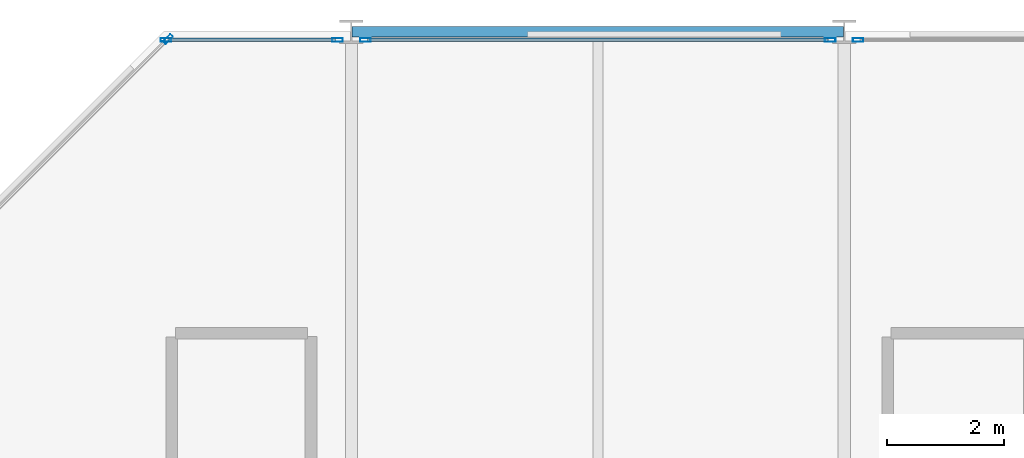
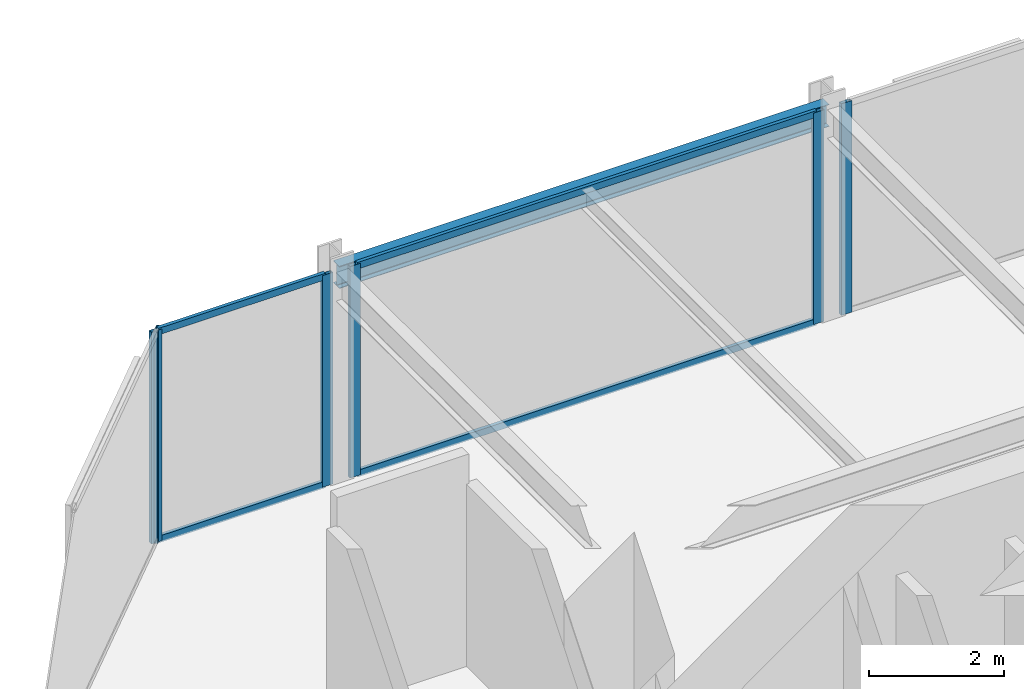
# One storey, part 21 of 29: 10 members, 1 beam, 4 elements without a shape of their own.
"""IFC4 building model written with IfcOpenShell, lengths in metres."""

from ifc_helpers import new_model, si_unit, direction, frame, origin, origin_2d, place, context, subcontext, project, spatial, hollow_rectangle, i_section, extrude, material, layer, layer_set, material_profile, profile_set, type_object, element, aggregate, save


model = new_model("IFC4")

# Units and contexts
model_context = context("Model", 3, precision=1e-05, world=origin(), true_north=direction((0.0, 1.0)))
body_context = subcontext(model_context, "Body", "Model", "MODEL_VIEW")
ifc_project = project(units=[si_unit("LENGTHUNIT", "METRE"), si_unit("AREAUNIT", "SQUARE_METRE"), si_unit("VOLUMEUNIT", "CUBIC_METRE"), si_unit("PLANEANGLEUNIT", "RADIAN"), si_unit("MASSUNIT", "GRAM", prefix="KILO")], contexts=[model_context])

# Site, building, storey
site_placement = place(None, origin())
site = spatial("IfcSite", under=ifc_project, at=site_placement, CompositionType="ELEMENT")
building_placement = place(site_placement, origin())
building = spatial("IfcBuilding", under=site, at=building_placement, Name="Nerrivon Quay Data Exchange", CompositionType="ELEMENT")
storey_placement = place(building_placement, frame((0.0, 0.0, 125.39990234375)))
storey = spatial("IfcBuildingStorey", under=building, at=storey_placement, Name="L29", CompositionType="ELEMENT", Elevation=125.39990234375)

# Beam
ifc_material_1 = material(Name="Steel Grade 350", Category="steel")
ifc_material_profile_1 = material_profile(ifc_material_1, i_section(OverallWidth=0.177978515625, OverallDepth=0.403076171875, WebThickness=0.007568359375, FlangeThickness=0.010986328125, FilletRadius=0.011474609375, at=origin_2d()), Name="410UB53.7")
ifc_profile_set_1 = profile_set([ifc_material_profile_1], Name="Steel Grade 350")
beam_type = type_object("IfcBeamType", Name="BM-SP2-410UB54", PredefinedType="SPANDREL", material=ifc_profile_set_1)
beam_placement = place(storey_placement, frame((8.41259765625, 50.39990234375, 3.62353515625), z_axis=(1.0, 0.0, 0.0), x_axis=(0.0, 1.0, 0.0)))
element("IfcBeam", 1, at=beam_placement, inside=storey, type_object=beam_type, Name="L29 EW Girder Y=50.4 (8.4..16.8)", PredefinedType="SPANDREL", context=body_context, shape_type="SweptSolid", body=[
    extrude(i_section(OverallWidth=0.177978515625, OverallDepth=0.403076171875, WebThickness=0.007568359375, FlangeThickness=0.010986328125, FilletRadius=0.011474609375, at=origin_2d()), origin(), (0.0, 0.0, 1.0), 8.375),
])

# Curtain wall, member
ifc_material_2 = material(Name="Anodised aluminium 6063-T6", Category="aluminium")
ifc_layer = layer(ifc_material_2, 0.2099609375)
ifc_layer_set = layer_set([ifc_layer], Name="Anodised aluminium 6063-T6")
curtain_wall_type = type_object("IfcCurtainWallType", Name="CW-SYS-02", PredefinedType="NOTDEFINED", material=ifc_layer_set)
curtain_wall_1_placement = place(storey_placement, origin())
curtain_wall_1 = element("IfcCurtainWall", 2, at=curtain_wall_1_placement, inside=storey, type_object=curtain_wall_type, Name="L29 Unitised Curtain Wall 17", PredefinedType="NOTDEFINED")
ifc_material_profile_2 = material_profile(ifc_material_2, hollow_rectangle(XDim=0.06494140625, YDim=0.179931640625, WallThickness=0.00341796875, at=origin_2d()), Name="ALU-MULL-180x65")
ifc_profile_set_2 = profile_set([ifc_material_profile_2], Name="Anodised aluminium 6063-T6")
member_type_1 = type_object("IfcMemberType", Name="CWM-180x65", PredefinedType="MULLION", material=ifc_profile_set_2)
member_1_placement = place(storey_placement, frame((5.2724609375, 50.2744140625, 0.0), z_axis=(0.0, 0.0, 1.0), x_axis=(-0.707106781187, 0.707106781187, 0.0)))
member_1 = element("IfcMember", 3, at=member_1_placement, type_object=member_type_1, Name="CW02 mullion 2", PredefinedType="MULLION", context=body_context, shape_type="SweptSolid", body=[
    extrude(hollow_rectangle(XDim=0.06494140625, YDim=0.179931640625, WallThickness=0.00341796875, at=origin_2d()), origin(), (0.0, 0.0, 1.0), 3.8251953125),
])
aggregate(curtain_wall_1, [member_1])

# Curtain wall, members
curtain_wall_2_placement = place(storey_placement, origin())
curtain_wall_2 = element("IfcCurtainWall", 4, at=curtain_wall_2_placement, inside=storey, type_object=curtain_wall_type, Name="L29 Unitised Curtain Wall 18", PredefinedType="NOTDEFINED")
member_2_placement = place(storey_placement, frame((5.237548828125, 50.260009765625, 0.0), z_axis=(0.0, 0.0, 1.0), x_axis=(0.0, 1.0, 0.0)))
member_2 = element("IfcMember", 5, at=member_2_placement, type_object=member_type_1, Name="CW02 mullion 1", PredefinedType="MULLION", context=body_context, shape_type="SweptSolid", body=[
    extrude(hollow_rectangle(XDim=0.06494140625, YDim=0.179931640625, WallThickness=0.00341796875, at=origin_2d()), origin(), (0.0, 0.0, 1.0), 3.8251953125),
])
member_3_placement = place(storey_placement, frame((8.16259765625, 50.260009765625, 0.0), z_axis=(0.0, 0.0, 1.0), x_axis=(0.0, 1.0, 0.0)))
member_3 = element("IfcMember", 6, at=member_3_placement, type_object=member_type_1, Name="CW02 mullion 2", PredefinedType="MULLION", context=body_context, shape_type="SweptSolid", body=[
    extrude(hollow_rectangle(XDim=0.06494140625, YDim=0.179931640625, WallThickness=0.00341796875, at=origin_2d()), origin(), (0.0, 0.0, 1.0), 3.8251953125),
])

curtain_wall_3_placement = place(storey_placement, origin())
curtain_wall_3 = element("IfcCurtainWall", 7, at=curtain_wall_3_placement, inside=storey, type_object=curtain_wall_type, Name="L29 Unitised Curtain Wall 19", PredefinedType="NOTDEFINED")
member_4_placement = place(storey_placement, frame((8.637451171875, 50.260009765625, 0.0), z_axis=(0.0, 0.0, 1.0), x_axis=(0.0, 1.0, 0.0)))
member_4 = element("IfcMember", 8, at=member_4_placement, type_object=member_type_1, Name="CW02 mullion 1", PredefinedType="MULLION", context=body_context, shape_type="SweptSolid", body=[
    extrude(hollow_rectangle(XDim=0.06494140625, YDim=0.179931640625, WallThickness=0.00341796875, at=origin_2d()), origin(), (0.0, 0.0, 1.0), 3.8251953125),
])
member_5_placement = place(storey_placement, frame((16.5625, 50.260009765625, 0.0), z_axis=(0.0, 0.0, 1.0), x_axis=(0.0, 1.0, 0.0)))
member_5 = element("IfcMember", 9, at=member_5_placement, type_object=member_type_1, Name="CW02 mullion 2", PredefinedType="MULLION", context=body_context, shape_type="SweptSolid", body=[
    extrude(hollow_rectangle(XDim=0.06494140625, YDim=0.179931640625, WallThickness=0.00341796875, at=origin_2d()), origin(), (0.0, 0.0, 1.0), 3.8251953125),
])

# Curtain wall, member
curtain_wall_4_placement = place(storey_placement, origin())
curtain_wall_4 = element("IfcCurtainWall", 10, at=curtain_wall_4_placement, inside=storey, type_object=curtain_wall_type, Name="L29 Unitised Curtain Wall 20", PredefinedType="NOTDEFINED")
member_6_placement = place(storey_placement, frame((17.03759765625, 50.260009765625, 0.0), z_axis=(0.0, 0.0, 1.0), x_axis=(0.0, 1.0, 0.0)))
member_6 = element("IfcMember", 11, at=member_6_placement, type_object=member_type_1, Name="CW02 mullion 1", PredefinedType="MULLION", context=body_context, shape_type="SweptSolid", body=[
    extrude(hollow_rectangle(XDim=0.06494140625, YDim=0.179931640625, WallThickness=0.00341796875, at=origin_2d()), origin(), (0.0, 0.0, 1.0), 3.8251953125),
])
aggregate(curtain_wall_4, [member_6])

# Member
ifc_material_profile_3 = material_profile(ifc_material_2, hollow_rectangle(XDim=0.06005859375, YDim=0.1201171875, WallThickness=0.003173828125, at=origin_2d()), Name="ALU-TRAN-120x60")
ifc_profile_set_3 = profile_set([ifc_material_profile_3], Name="Anodised aluminium 6063-T6")
member_type_2 = type_object("IfcMemberType", Name="CWT-120x60", PredefinedType="USERDEFINED", material=ifc_profile_set_3)
member_7_placement = place(storey_placement, frame((5.27490234375, 50.260009765625, 0.03271484375), z_axis=(1.0, 0.0, 0.0), x_axis=(0.0, 1.0, 0.0)))
member_7 = element("IfcMember", 12, at=member_7_placement, type_object=member_type_2, Name="CW02 transom 1.1", ObjectType="TRANSOM", PredefinedType="USERDEFINED", context=body_context, shape_type="SweptSolid", body=[
    extrude(hollow_rectangle(XDim=0.06005859375, YDim=0.1201171875, WallThickness=0.003173828125, at=origin_2d()), origin(), (0.0, 0.0, 1.0), 2.85009765625),
])

member_8_placement = place(storey_placement, frame((5.27490234375, 50.260009765625, 3.79248046875), z_axis=(1.0, 0.0, 0.0), x_axis=(0.0, 1.0, 0.0)))
member_8 = element("IfcMember", 13, at=member_8_placement, type_object=member_type_2, Name="CW02 transom 1.2", ObjectType="TRANSOM", PredefinedType="USERDEFINED", context=body_context, shape_type="SweptSolid", body=[
    extrude(hollow_rectangle(XDim=0.06005859375, YDim=0.1201171875, WallThickness=0.003173828125, at=origin_2d()), origin(), (0.0, 0.0, 1.0), 2.85009765625),
])

aggregate(curtain_wall_2, [member_2, member_3, member_7, member_8])

member_9_placement = place(storey_placement, frame((8.675048828125, 50.260009765625, 0.03271484375), z_axis=(1.0, 0.0, 0.0), x_axis=(0.0, 1.0, 0.0)))
member_9 = element("IfcMember", 14, at=member_9_placement, type_object=member_type_2, Name="CW02 transom 1.1", ObjectType="TRANSOM", PredefinedType="USERDEFINED", context=body_context, shape_type="SweptSolid", body=[
    extrude(hollow_rectangle(XDim=0.06005859375, YDim=0.1201171875, WallThickness=0.003173828125, at=origin_2d()), origin(), (0.0, 0.0, 1.0), 7.849853515625),
])

member_10_placement = place(storey_placement, frame((8.675048828125, 50.260009765625, 3.79248046875), z_axis=(1.0, 0.0, 0.0), x_axis=(0.0, 1.0, 0.0)))
member_10 = element("IfcMember", 15, at=member_10_placement, type_object=member_type_2, Name="CW02 transom 1.2", ObjectType="TRANSOM", PredefinedType="USERDEFINED", context=body_context, shape_type="SweptSolid", body=[
    extrude(hollow_rectangle(XDim=0.06005859375, YDim=0.1201171875, WallThickness=0.003173828125, at=origin_2d()), origin(), (0.0, 0.0, 1.0), 7.849853515625),
])

aggregate(curtain_wall_3, [member_4, member_5, member_9, member_10])

save(model, "model.ifc")
